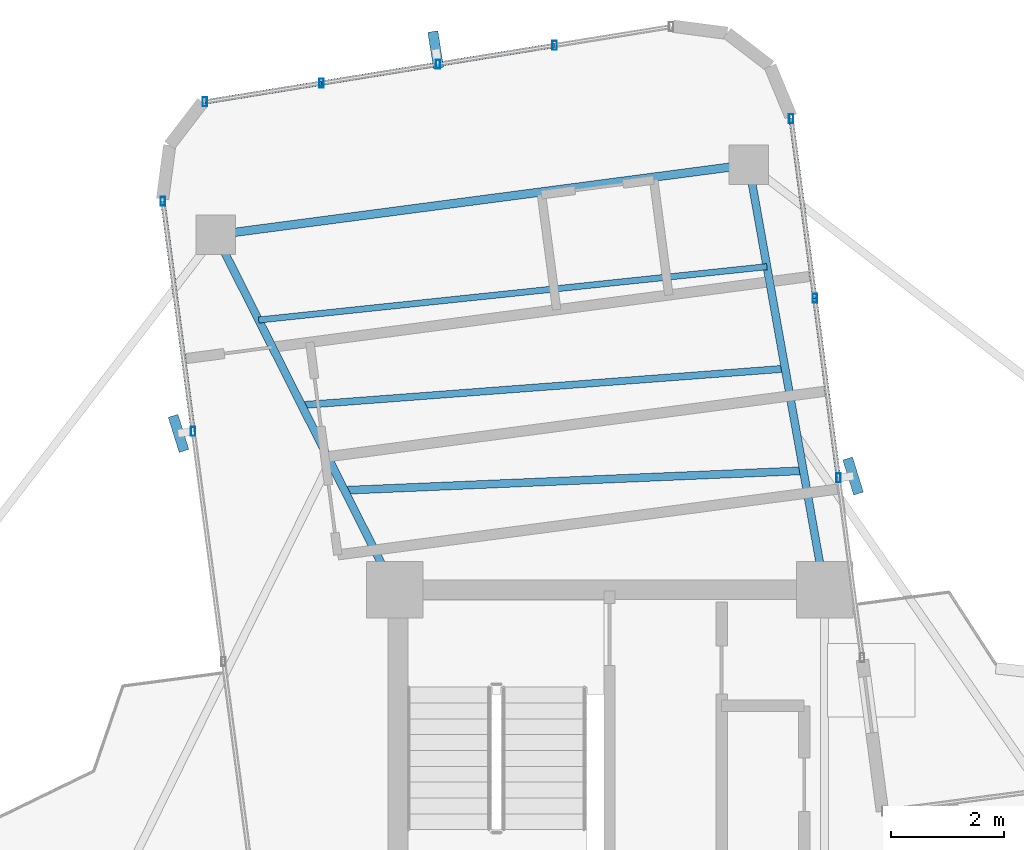
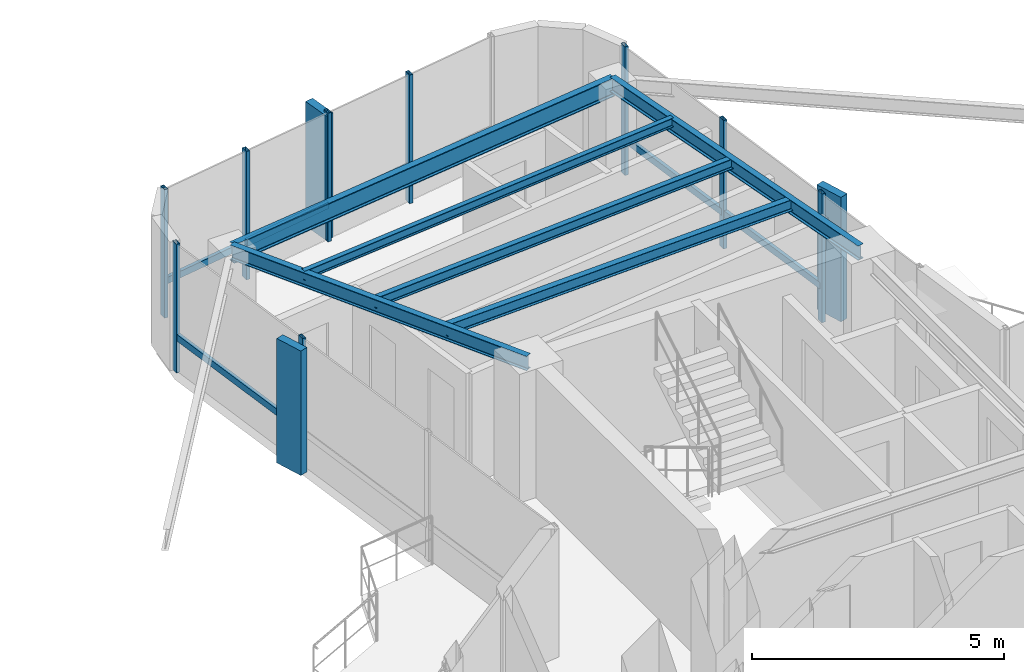
# One storey, part 14 of 22: 18 members, 6 beams, 3 elements without a shape of their own.
"""IFC4 building model written with IfcOpenShell, lengths in metres."""

import ifcopenshell
import ifcopenshell.guid

model = None  # the IFC model being written
_history = None  # IfcOwnerHistory: only IFC2X3 demands one
_inside = {}  # id of a spatial element -> (the spatial element, [elements in it])
_under = {}  # id of a project, library or spatial element -> (it, [spatial elements below it])
_declared = {}  # id of a project -> (the project, [libraries it declares])
_typed = {}  # id of a type object -> (the type object, [elements of that type])
_made_of = {}  # id of a material, layer set ... -> (it, [elements and type objects made of it])


def new_model(schema):
    """Start an empty IFC model of exactly this schema.

    Asked for "IFC4X3", IfcOpenShell would pick the latest addendum, in which some entities
    have other attributes; the version numbers below select the first issue.
    IFC2X3 requires an IfcOwnerHistory on every rooted entity: one is made here for all.
    """
    global model, _history
    if schema == "IFC4X3":
        model = ifcopenshell.file(schema_version=(4, 3, 0, 0))
    else:
        model = ifcopenshell.file(schema=schema)
    _inside.clear()
    _under.clear()
    _declared.clear()
    _typed.clear()
    _made_of.clear()
    _history = None
    if model.schema == "IFC2X3":
        org = make("IfcOrganization", Name="unknown")
        user = make(
            "IfcPersonAndOrganization",
            ThePerson=make("IfcPerson", FamilyName="unknown"),
            TheOrganization=org,
        )
        app = make(
            "IfcApplication",
            ApplicationDeveloper=org,
            Version="unknown",
            ApplicationFullName="unknown",
            ApplicationIdentifier="unknown",
        )
        _history = make(
            "IfcOwnerHistory",
            OwningUser=user,
            OwningApplication=app,
            ChangeAction="ADDED",
            CreationDate=0,
        )
    return model


def make(cls, **values):
    """One entity of the class cls with the attributes given. An attribute that is None is left unset."""
    return model.create_entity(
        cls, **{name: value for name, value in values.items() if value is not None}
    )


def rooted(cls, **values):
    """An entity with a GlobalId (a new one), such as an element, a storey or a relation."""
    return make(cls, GlobalId=ifcopenshell.guid.new(), OwnerHistory=_history, **values)


def si_unit(unit_type, name, prefix=None):
    """IfcSIUnit, for example si_unit("LENGTHUNIT", "METRE", prefix="MILLI")."""
    return make("IfcSIUnit", UnitType=unit_type, Prefix=prefix, Name=name)


def assignment(units):
    """IfcUnitAssignment: the units of a project."""
    return None if units is None else make("IfcUnitAssignment", Units=units)


def point(xyz):
    """IfcCartesianPoint."""
    return None if xyz is None else make("IfcCartesianPoint", Coordinates=xyz)


def direction(xyz):
    """IfcDirection."""
    return None if xyz is None else make("IfcDirection", DirectionRatios=xyz)


def frame(location, z_axis=None, x_axis=None):
    """IfcAxis2Placement3D, a coordinate frame: its origin and axes. An axis left out is left unset."""
    return make(
        "IfcAxis2Placement3D",
        Location=point(location),
        Axis=direction(z_axis),
        RefDirection=direction(x_axis),
    )


def frame_2d(location, x_axis=None):
    """IfcAxis2Placement2D, a coordinate frame in the plane: its origin and x axis."""
    return make(
        "IfcAxis2Placement2D", Location=point(location), RefDirection=direction(x_axis)
    )


def origin():
    """The frame at (0, 0, 0) with its axes left unset."""
    return frame((0.0, 0.0, 0.0))


def origin_2d():
    """The frame at (0, 0) in the plane with its x axis left unset."""
    return frame_2d((0.0, 0.0))


def place(relative_to, where):
    """IfcLocalPlacement: puts the frame where relative to a parent placement (None: the world)."""
    return make(
        "IfcLocalPlacement", PlacementRelTo=relative_to, RelativePlacement=where
    )


def context(
    kind, dimensions, precision=None, world=None, true_north=None, identifier=None
):
    """IfcGeometricRepresentationContext, for example the 3D "Model" context."""
    return make(
        "IfcGeometricRepresentationContext",
        ContextIdentifier=identifier,
        ContextType=kind,
        CoordinateSpaceDimension=dimensions,
        Precision=precision,
        WorldCoordinateSystem=world,
        TrueNorth=true_north,
    )


def subcontext(parent, identifier, kind, view, scale=None):
    """IfcGeometricRepresentationSubContext, for example "Body" below "Model"."""
    return make(
        "IfcGeometricRepresentationSubContext",
        ContextIdentifier=identifier,
        ContextType=kind,
        ParentContext=parent,
        TargetScale=scale,
        TargetView=view,
    )


def project(units=None, contexts=None):
    """IfcProject with its units and contexts."""
    return rooted(
        "IfcProject",
        Name="project",
        RepresentationContexts=contexts,
        UnitsInContext=assignment(units),
    )


def spatial(cls, under=None, at=None, **own):
    """A site, building, storey or space (cls), placed at a placement, below another one or the project."""
    s = rooted(cls, ObjectPlacement=at, **own)
    if under is not None:
        _under.setdefault(under.id(), (under, []))[1].append(s)
    return s


def profile(cls, at=None, kind="AREA", **sizes):
    """A parametric profile (cls). Its sizes go by their IFC names, for example OverallWidth=200.0."""
    return make(cls, ProfileType=kind, Position=at, **sizes)


def rectangle(**sizes):
    """IfcRectangleProfileDef."""
    return profile("IfcRectangleProfileDef", **sizes)


def hollow_rectangle(**sizes):
    """IfcRectangleHollowProfileDef."""
    return profile("IfcRectangleHollowProfileDef", **sizes)


def i_section(**sizes):
    """IfcIShapeProfileDef."""
    return profile("IfcIShapeProfileDef", **sizes)


def extrude(swept, where, along, depth):
    """IfcExtrudedAreaSolid: the profile swept, set in the frame where, extruded along a direction by depth."""
    return make(
        "IfcExtrudedAreaSolid",
        SweptArea=swept,
        Position=where,
        ExtrudedDirection=direction(along),
        Depth=depth,
    )


def shape(context_of_items, identifier, shape_type, items):
    """IfcShapeRepresentation: the items that make up one representation, for example the "Body"."""
    return make(
        "IfcShapeRepresentation",
        ContextOfItems=context_of_items,
        RepresentationIdentifier=identifier,
        RepresentationType=shape_type,
        Items=items,
    )


def source(mapping_origin, context_of_items, identifier, shape_type, items):
    """IfcRepresentationMap: a shape defined once, which mapped items show again and again."""
    return make(
        "IfcRepresentationMap",
        MappingOrigin=mapping_origin,
        MappedRepresentation=shape(context_of_items, identifier, shape_type, items),
    )


def transform(
    local_origin,
    x_axis=None,
    y_axis=None,
    z_axis=None,
    scale=None,
    scale2=None,
    scale3=None,
    uniform=True,
):
    """IfcCartesianTransformationOperator3D, or its non-uniform kind. x_axis, y_axis, z_axis: its Axis1, 2, 3."""
    if uniform:
        return make(
            "IfcCartesianTransformationOperator3D",
            Axis1=direction(x_axis),
            Axis2=direction(y_axis),
            LocalOrigin=point(local_origin),
            Scale=scale,
            Axis3=direction(z_axis),
        )
    return make(
        "IfcCartesianTransformationOperator3DnonUniform",
        Axis1=direction(x_axis),
        Axis2=direction(y_axis),
        LocalOrigin=point(local_origin),
        Scale=scale,
        Axis3=direction(z_axis),
        Scale2=scale2,
        Scale3=scale3,
    )


def mapped(mapping_source, mapping_target):
    """IfcMappedItem: shows the shape of a source again, moved by a transform."""
    return make(
        "IfcMappedItem", MappingSource=mapping_source, MappingTarget=mapping_target
    )


def material(Name=None, Category=None):
    """IfcMaterial."""
    return make("IfcMaterial", Name=Name, Category=Category)


def material_profile(
    of_material, cross_section, Name=None, Category=None, Priority=None
):
    """IfcMaterialProfile: a cross section and its material."""
    return make(
        "IfcMaterialProfile",
        Name=Name,
        Material=of_material,
        Profile=cross_section,
        Priority=Priority,
        Category=Category,
    )


def profile_set(profiles, Name=None, composite=None):
    """IfcMaterialProfileSet."""
    return make(
        "IfcMaterialProfileSet",
        Name=Name,
        MaterialProfiles=profiles,
        CompositeProfile=composite,
    )


def made_of(thing, what):
    """Note that an element or type object is made of a material, layer set ...; save() writes the relation."""
    if what is not None:
        _made_of.setdefault(what.id(), (what, []))[1].append(thing)
    return thing


def type_object(cls, material=None, **own):
    """A type object (cls), such as IfcWallType, which elements share."""
    return made_of(rooted(cls, **own), material)


def element(
    cls,
    number,
    at=None,
    inside=None,
    cuts=None,
    type_object=None,
    material=None,
    context=None,
    identifier="Body",
    shape_type=None,
    held_by="IfcProductDefinitionShape",
    body=None,
    shapes=None,
    **own,
):
    """One element of the class cls, such as IfcWall. Its Tag is "e" and its number.

    at: its placement. inside: the storey or other place that contains it. cuts: it is an
    opening in that element (IfcRelVoidsElement). A single representation is given by context,
    identifier, shape_type and body (its items); several are given by shapes. held_by: the class
    of the entity that holds the representations. save() writes the other relations.
    """
    e = rooted(cls, Tag="e%d" % number, ObjectPlacement=at, **own)
    if body is not None:
        shapes = [shape(context, identifier, shape_type, body)]
    if shapes is not None:
        e.Representation = make(held_by, Representations=shapes)
    if inside is not None:
        _inside.setdefault(inside.id(), (inside, []))[1].append(e)
    if cuts is not None:
        rooted(
            "IfcRelVoidsElement", RelatingBuildingElement=cuts, RelatedOpeningElement=e
        )
    if type_object is not None:
        _typed.setdefault(type_object.id(), (type_object, []))[1].append(e)
    return made_of(e, material)


def aggregate(whole, parts):
    """IfcRelAggregates: a whole, such as a stair, and the parts it consists of."""
    return rooted("IfcRelAggregates", RelatingObject=whole, RelatedObjects=parts)


def save(model, path):
    """Write the relations noted so far, then the file.

    IfcRelAggregates (storeys below a building ...), IfcRelContainedInSpatialStructure (elements
    in a storey), IfcRelDefinesByType, IfcRelAssociatesMaterial and IfcRelDeclares: one each for
    every whole, place, type object, material and project.
    """
    for whole, parts in _under.values():
        aggregate(whole, parts)
    for where, things in _inside.values():
        rooted(
            "IfcRelContainedInSpatialStructure",
            RelatedElements=things,
            RelatingStructure=where,
        )
    for kind, things in _typed.values():
        rooted("IfcRelDefinesByType", RelatedObjects=things, RelatingType=kind)
    for what, things in _made_of.values():
        rooted("IfcRelAssociatesMaterial", RelatedObjects=things, RelatingMaterial=what)
    for by, libraries in _declared.values():
        rooted("IfcRelDeclares", RelatingContext=by, RelatedDefinitions=libraries)
    model.write(path)


model = new_model("IFC4")

# Units and contexts
model_context = context("Model", 3, precision=1e-05, world=origin(), true_north=direction((0.0, 1.0)))
body_context = subcontext(model_context, "Body", "Model", "MODEL_VIEW")
ifc_project = project(units=[si_unit("LENGTHUNIT", "METRE"), si_unit("AREAUNIT", "SQUARE_METRE"), si_unit("VOLUMEUNIT", "CUBIC_METRE"), si_unit("PLANEANGLEUNIT", "RADIAN"), si_unit("MASSUNIT", "GRAM", prefix="KILO")], contexts=[model_context])

# Site, building, storey
site_placement = place(None, origin())
site = spatial("IfcSite", under=ifc_project, at=site_placement, CompositionType="ELEMENT")
building_placement = place(site_placement, origin())
building = spatial("IfcBuilding", under=site, at=building_placement, Name="Sahyath Konkavel Grand Hotel", CompositionType="ELEMENT")
storey_placement = place(building_placement, frame((0.0, 0.0, 257.89990234375)))
storey = spatial("IfcBuildingStorey", under=building, at=storey_placement, Name="L72", CompositionType="ELEMENT", Elevation=257.89990234375)

# Beams
ifc_material_1 = material(Name="Steel E350", Category="steel")
ifc_material_profile_1 = material_profile(ifc_material_1, i_section(OverallWidth=0.139892578125, OverallDepth=0.35009765625, WebThickness=0.008056640625, FlangeThickness=0.01416015625, FilletRadius=0.013916015625, at=origin_2d()), Name="ISMB 350")
ifc_profile_set_1 = profile_set([ifc_material_profile_1], Name="Steel E350")
beam_type_1 = type_object("IfcBeamType", Name="BM-ISMB350", PredefinedType="BEAM", material=ifc_profile_set_1)
shared_shape_1 = source(origin(), body_context, "Body", "SweptSolid", [
    extrude(i_section(OverallWidth=0.139892578125, OverallDepth=0.35009765625, WebThickness=0.008056640625, FlangeThickness=0.01416015625, FilletRadius=0.013916015625, at=origin_2d()), origin(), (0.0, 0.0, 1.0), 7.631103515625),
])
beam_1_placement = place(storey_placement, frame((3.800048828125, 10.199951171875, 2.93505859375), z_axis=(-0.175734167088, 0.984437658015, 0.0), x_axis=(-0.984437658015, -0.175734167088, 0.0)))
element("IfcBeam", 1, at=beam_1_placement, inside=storey, type_object=beam_type_1, Name="L72 Cruciform Radial Girder NA", PredefinedType="BEAM", context=body_context, shape_type="MappedRepresentation", body=[
    mapped(shared_shape_1, transform((0.0, 0.0, 0.0), scale=1.0)),
])
shared_shape_2 = source(origin(), body_context, "Body", "SweptSolid", [
    extrude(i_section(OverallWidth=0.139892578125, OverallDepth=0.35009765625, WebThickness=0.008056640625, FlangeThickness=0.01416015625, FilletRadius=0.013916015625, at=origin_2d()), origin(), (0.0, 0.0, 1.0), 7.0234375),
])
beam_2_placement = place(storey_placement, frame((-3.800048828125, 10.199951171875, 2.93505859375), z_axis=(-0.449881274382, 0.893088371305, 0.0), x_axis=(-0.893088371305, -0.449881274382, 0.0)))
element("IfcBeam", 2, at=beam_2_placement, inside=storey, type_object=beam_type_1, Name="L72 Cruciform Radial Girder NB", PredefinedType="BEAM", context=body_context, shape_type="MappedRepresentation", body=[
    mapped(shared_shape_2, transform((0.0, 0.0, 0.0), scale=1.0)),
])
ifc_material_profile_2 = material_profile(ifc_material_1, i_section(OverallWidth=0.14990234375, OverallDepth=0.449951171875, WebThickness=0.009521484375, FlangeThickness=0.017333984375, FilletRadius=0.014892578125, at=origin_2d()), Name="ISMB 450")
ifc_profile_set_2 = profile_set([ifc_material_profile_2], Name="Steel E350")
beam_type_2 = type_object("IfcBeamType", Name="BM-ISMB450", PredefinedType="BEAM", material=ifc_profile_set_2)
shared_shape_3 = source(origin(), body_context, "Body", "SweptSolid", [
    extrude(i_section(OverallWidth=0.14990234375, OverallDepth=0.449951171875, WebThickness=0.009521484375, FlangeThickness=0.017333984375, FilletRadius=0.014892578125, at=origin_2d()), origin(), (0.0, 0.0, 1.0), 9.5),
])
beam_3_placement = place(storey_placement, frame((2.458984375, 17.71240234375, 2.885009765625), z_axis=(-0.991444933556, -0.130525643939, 0.0), x_axis=(0.130525643939, -0.991444933556, 0.0)))
element("IfcBeam", 3, at=beam_3_placement, inside=storey, type_object=beam_type_2, Name="L72 Wing Tip Edge Beam N", PredefinedType="BEAM", context=body_context, shape_type="MappedRepresentation", body=[
    mapped(shared_shape_3, transform((0.0, 0.0, 0.0), scale=1.0)),
])
ifc_material_profile_3 = material_profile(ifc_material_1, i_section(OverallWidth=0.139892578125, OverallDepth=0.27490234375, WebThickness=0.00634765625, FlangeThickness=0.0087890625, FilletRadius=0.012939453125, at=origin_2d()), Name="ISLB 275")
ifc_profile_set_3 = profile_set([ifc_material_profile_3], Name="Steel E350")
beam_type_3 = type_object("IfcBeamType", Name="BM-ISLB275", PredefinedType="BEAM", material=ifc_profile_set_3)
shared_shape_4 = source(origin(), body_context, "Body", "SweptSolid", [
    extrude(i_section(OverallWidth=0.139892578125, OverallDepth=0.27490234375, WebThickness=0.00634765625, FlangeThickness=0.0087890625, FilletRadius=0.012939453125, at=origin_2d()), origin(), (0.0, 0.0, 1.0), 8.11669921875),
])
beam_4_placement = place(storey_placement, frame((3.424560546875, 12.303466796875, 2.97265625), z_axis=(-0.999084879956, -0.042771516718, 0.0), x_axis=(0.042771516718, -0.999084879956, 0.0)))
element("IfcBeam", 4, at=beam_4_placement, inside=storey, type_object=beam_type_3, Name="L72 Secondary Floor Beam N-1", PredefinedType="BEAM", context=body_context, shape_type="MappedRepresentation", body=[
    mapped(shared_shape_4, transform((0.0, 0.0, 0.0), scale=1.0)),
])
ifc_material_profile_4 = material_profile(ifc_material_1, i_section(OverallWidth=0.125, OverallDepth=0.25, WebThickness=0.0068359375, FlangeThickness=0.012451171875, FilletRadius=0.012939453125, at=origin_2d()), Name="ISMB 250")
ifc_profile_set_4 = profile_set([ifc_material_profile_4], Name="Steel E350")
beam_type_4 = type_object("IfcBeamType", Name="BM-ISMB250", PredefinedType="BEAM", material=ifc_profile_set_4)
shared_shape_5 = source(origin(), body_context, "Body", "SweptSolid", [
    extrude(i_section(OverallWidth=0.125, OverallDepth=0.25, WebThickness=0.0068359375, FlangeThickness=0.012451171875, FilletRadius=0.012939453125, at=origin_2d()), origin(), (0.0, 0.0, 1.0), 8.570068359375),
])
beam_5_placement = place(storey_placement, frame((3.102783203125, 14.1064453125, 2.985107421875), z_axis=(-0.997165854664, -0.075234688098, 0.0), x_axis=(0.075234688098, -0.997165854664, 0.0)))
element("IfcBeam", 5, at=beam_5_placement, inside=storey, type_object=beam_type_4, Name="L72 Secondary Floor Beam N-2", PredefinedType="BEAM", context=body_context, shape_type="MappedRepresentation", body=[
    mapped(shared_shape_5, transform((0.0, 0.0, 0.0), scale=1.0)),
])
ifc_material_profile_5 = material_profile(ifc_material_1, i_section(OverallWidth=0.110107421875, OverallDepth=0.22509765625, WebThickness=0.006591796875, FlangeThickness=0.01171875, FilletRadius=0.011962890625, at=origin_2d()), Name="ISMB 225")
ifc_profile_set_5 = profile_set([ifc_material_profile_5], Name="Steel E350")
beam_type_5 = type_object("IfcBeamType", Name="BM-ISMB225", PredefinedType="BEAM", material=ifc_profile_set_5)
shared_shape_6 = source(origin(), body_context, "Body", "SweptSolid", [
    extrude(i_section(OverallWidth=0.110107421875, OverallDepth=0.22509765625, WebThickness=0.006591796875, FlangeThickness=0.01171875, FilletRadius=0.011962890625, at=origin_2d()), origin(), (0.0, 0.0, 1.0), 9.03173828125),
])
beam_6_placement = place(storey_placement, frame((2.781005859375, 15.909423828125, 2.99755859375), z_axis=(-0.99454153435, -0.104341441688, 0.0), x_axis=(0.104341441688, -0.99454153435, 0.0)))
element("IfcBeam", 6, at=beam_6_placement, inside=storey, type_object=beam_type_5, Name="L72 Secondary Floor Beam N-3", PredefinedType="BEAM", context=body_context, shape_type="MappedRepresentation", body=[
    mapped(shared_shape_6, transform((0.0, 0.0, 0.0), scale=1.0)),
])

# Curtain wall, member
ifc_material_2 = material(Name="Anodised Bronze Aluminium & Low-E Glazing", Category="aluminium")
curtain_wall_type = type_object("IfcCurtainWallType", Name="CW-ZONE4", PredefinedType="NOTDEFINED", material=ifc_material_2)
curtain_wall_1_placement = place(storey_placement, origin())
curtain_wall_1 = element("IfcCurtainWall", 7, at=curtain_wall_1_placement, inside=storey, type_object=curtain_wall_type, Name="L72 Unitised Curtain Wall F8", PredefinedType="NOTDEFINED")
ifc_material_3 = material(Name="Warm Buff Sandstone Cladding on Concrete C50/60", Category="masonry")
ifc_material_profile_6 = material_profile(ifc_material_3, rectangle(XDim=0.179931640625, YDim=0.64990234375, at=origin_2d()), Name="FIN 180x650")
ifc_profile_set_6 = profile_set([ifc_material_profile_6], Name="Warm Buff Sandstone Cladding on Concrete C50/60")
member_type_1 = type_object("IfcMemberType", Name="FIN-SANDSTONE-650", PredefinedType="MULLION", material=ifc_profile_set_6)
shared_shape_7 = source(origin(), body_context, "Body", "SweptSolid", [
    extrude(rectangle(XDim=0.179931640625, YDim=0.64990234375, at=origin_2d()), origin(), (0.0, 0.0, 1.0), 3.010009765625),
])
member_1_placement = place(storey_placement, frame((4.30322265625, 12.20947265625, 0.050048828125), z_axis=(0.0, 0.0, 1.0), x_axis=(0.954448865814, 0.298374534012, 0.0)))
member_1 = element("IfcMember", 8, at=member_1_placement, type_object=member_type_1, Name="L72 Sandstone Vertical Solar Fin FIN F8-1", PredefinedType="MULLION", context=body_context, shape_type="MappedRepresentation", body=[
    mapped(shared_shape_7, transform((0.0, 0.0, 0.0), scale=1.0)),
])

curtain_wall_2_placement = place(storey_placement, origin())
curtain_wall_2 = element("IfcCurtainWall", 9, at=curtain_wall_2_placement, inside=storey, type_object=curtain_wall_type, Name="L72 Unitised Curtain Wall F12", PredefinedType="NOTDEFINED")
member_2_placement = place(storey_placement, frame((-3.073486328125, 19.74365234375, 0.050048828125), z_axis=(0.0, 0.0, 1.0), x_axis=(0.987905801468, 0.155055239918, 0.0)))
member_2 = element("IfcMember", 10, at=member_2_placement, type_object=member_type_1, Name="L72 Sandstone Vertical Solar Fin FIN F12-2", PredefinedType="MULLION", context=body_context, shape_type="MappedRepresentation", body=[
    mapped(shared_shape_7, transform((0.0, 0.0, 0.0), scale=1.0)),
])

curtain_wall_3_placement = place(storey_placement, origin())
curtain_wall_3 = element("IfcCurtainWall", 11, at=curtain_wall_3_placement, inside=storey, type_object=curtain_wall_type, Name="L72 Unitised Curtain Wall F15", PredefinedType="NOTDEFINED")
member_3_placement = place(storey_placement, frame((-7.6171875, 12.96337890625, 0.050048828125), z_axis=(0.0, 0.0, 1.0), x_axis=(0.954448865814, 0.298374534012, 0.0)))
member_3 = element("IfcMember", 12, at=member_3_placement, type_object=member_type_1, Name="L72 Sandstone Vertical Solar Fin FIN F15-1", PredefinedType="MULLION", context=body_context, shape_type="MappedRepresentation", body=[
    mapped(shared_shape_7, transform((0.0, 0.0, 0.0), scale=1.0)),
])

# Member
ifc_material_4 = material(Name="Anodised Bronze Aluminium", Category="aluminium")
ifc_material_profile_7 = material_profile(ifc_material_4, hollow_rectangle(XDim=0.080078125, YDim=0.159912109375, WallThickness=0.006103515625, at=origin_2d()), Name="RHS 160x80x6")
ifc_profile_set_7 = profile_set([ifc_material_profile_7], Name="Anodised Bronze Aluminium")
member_type_2 = type_object("IfcMemberType", Name="CW-MUL-160", PredefinedType="MULLION", material=ifc_profile_set_7)
shared_shape_8 = source(origin(), body_context, "Body", "SweptSolid", [
    extrude(hollow_rectangle(XDim=0.080078125, YDim=0.159912109375, WallThickness=0.006103515625, at=origin_2d()), origin(), (0.0, 0.0, 1.0), 3.110107421875),
])
member_4_placement = place(storey_placement, frame((4.04541015625, 12.175537109375, 0.0), z_axis=(0.0, 0.0, 1.0), x_axis=(1.0, 0.0, 0.0)))
member_4 = element("IfcMember", 13, at=member_4_placement, type_object=member_type_2, Name="L72 Curtain Wall Mullion F8-1", PredefinedType="MULLION", context=body_context, shape_type="MappedRepresentation", body=[
    mapped(shared_shape_8, transform((0.0, 0.0, 0.0), scale=1.0)),
])

member_5_placement = place(storey_placement, frame((3.627197265625, 15.351318359375, 0.0), z_axis=(0.0, 0.0, 1.0), x_axis=(1.0, 0.0, 0.0)))
member_5 = element("IfcMember", 14, at=member_5_placement, type_object=member_type_2, Name="L72 Curtain Wall Mullion F8-2", PredefinedType="MULLION", context=body_context, shape_type="MappedRepresentation", body=[
    mapped(shared_shape_8, transform((0.0, 0.0, 0.0), scale=1.0)),
])

member_6_placement = place(storey_placement, frame((3.208984375, 18.52734375, 0.0), z_axis=(0.0, 0.0, 1.0), x_axis=(1.0, 0.0, 0.0)))
member_6 = element("IfcMember", 15, at=member_6_placement, type_object=member_type_2, Name="L72 Curtain Wall Mullion F8-3", PredefinedType="MULLION", context=body_context, shape_type="MappedRepresentation", body=[
    mapped(shared_shape_8, transform((0.0, 0.0, 0.0), scale=1.0)),
])

member_7_placement = place(storey_placement, frame((-0.9716796875, 19.8203125, 0.0), z_axis=(0.0, 0.0, 1.0), x_axis=(1.0, 0.0, 0.0)))
member_7 = element("IfcMember", 16, at=member_7_placement, type_object=member_type_2, Name="L72 Curtain Wall Mullion F12-1", PredefinedType="MULLION", context=body_context, shape_type="MappedRepresentation", body=[
    mapped(shared_shape_8, transform((0.0, 0.0, 0.0), scale=1.0)),
])

member_8_placement = place(storey_placement, frame((-3.031982421875, 19.487060546875, 0.0), z_axis=(0.0, 0.0, 1.0), x_axis=(1.0, 0.0, 0.0)))
member_8 = element("IfcMember", 17, at=member_8_placement, type_object=member_type_2, Name="L72 Curtain Wall Mullion F12-2", PredefinedType="MULLION", context=body_context, shape_type="MappedRepresentation", body=[
    mapped(shared_shape_8, transform((0.0, 0.0, 0.0), scale=1.0)),
])

member_9_placement = place(storey_placement, frame((-5.09228515625, 19.15380859375, 0.0), z_axis=(0.0, 0.0, 1.0), x_axis=(1.0, 0.0, 0.0)))
member_9 = element("IfcMember", 18, at=member_9_placement, type_object=member_type_2, Name="L72 Curtain Wall Mullion F12-3", PredefinedType="MULLION", context=body_context, shape_type="MappedRepresentation", body=[
    mapped(shared_shape_8, transform((0.0, 0.0, 0.0), scale=1.0)),
])

member_10_placement = place(storey_placement, frame((-7.15283203125, 18.82080078125, 0.0), z_axis=(0.0, 0.0, 1.0), x_axis=(1.0, 0.0, 0.0)))
member_10 = element("IfcMember", 19, at=member_10_placement, type_object=member_type_2, Name="L72 Curtain Wall Mullion F12-4", PredefinedType="MULLION", context=body_context, shape_type="MappedRepresentation", body=[
    mapped(shared_shape_8, transform((0.0, 0.0, 0.0), scale=1.0)),
])

member_11_placement = place(storey_placement, frame((-7.89501953125, 17.0654296875, 0.0), z_axis=(0.0, 0.0, 1.0), x_axis=(1.0, 0.0, 0.0)))
member_11 = element("IfcMember", 20, at=member_11_placement, type_object=member_type_2, Name="L72 Curtain Wall Mullion F15-0", PredefinedType="MULLION", context=body_context, shape_type="MappedRepresentation", body=[
    mapped(shared_shape_8, transform((0.0, 0.0, 0.0), scale=1.0)),
])

member_12_placement = place(storey_placement, frame((-7.359619140625, 12.997314453125, 0.0), z_axis=(0.0, 0.0, 1.0), x_axis=(1.0, 0.0, 0.0)))
member_12 = element("IfcMember", 21, at=member_12_placement, type_object=member_type_2, Name="L72 Curtain Wall Mullion F15-1", PredefinedType="MULLION", context=body_context, shape_type="MappedRepresentation", body=[
    mapped(shared_shape_8, transform((0.0, 0.0, 0.0), scale=1.0)),
])

ifc_material_profile_8 = material_profile(ifc_material_4, hollow_rectangle(XDim=0.080078125, YDim=0.159912109375, WallThickness=0.006103515625, at=origin_2d()), Name="RHS 160x80x6")
ifc_profile_set_8 = profile_set([ifc_material_profile_8], Name="Anodised Bronze Aluminium")
member_type_3 = type_object("IfcMemberType", Name="CW-TRN-160", PredefinedType="USERDEFINED", material=ifc_profile_set_8)
shared_shape_9 = source(origin(), body_context, "Body", "SweptSolid", [
    extrude(hollow_rectangle(XDim=0.080078125, YDim=0.159912109375, WallThickness=0.006103515625, at=origin_2d()), origin(), (0.0, 0.0, 1.0), 3.203369140625),
])
member_13_placement = place(storey_placement, frame((3.627197265625, 15.351318359375, 0.85009765625), z_axis=(-0.130551112835, 0.991441580194, 0.0), x_axis=(-0.991441580194, -0.130551112835, 0.0)))
member_13 = element("IfcMember", 22, at=member_13_placement, type_object=member_type_3, Name="L72 Curtain Wall Transom F8-2-spandrel", ObjectType="TRANSOM", PredefinedType="USERDEFINED", context=body_context, shape_type="MappedRepresentation", body=[
    mapped(shared_shape_9, transform((0.0, 0.0, 0.0), scale=1.0)),
])

shared_shape_10 = source(origin(), body_context, "Body", "SweptSolid", [
    extrude(hollow_rectangle(XDim=0.080078125, YDim=0.159912109375, WallThickness=0.006103515625, at=origin_2d()), origin(), (0.0, 0.0, 1.0), 3.203125),
])
member_14_placement = place(storey_placement, frame((4.04541015625, 12.175537109375, 0.85009765625), z_axis=(-0.13056097798, 0.991440281121, 0.0), x_axis=(-0.991440281121, -0.13056097798, 0.0)))
member_14 = element("IfcMember", 23, at=member_14_placement, type_object=member_type_3, Name="L72 Curtain Wall Transom F8-1-spandrel", ObjectType="TRANSOM", PredefinedType="USERDEFINED", context=body_context, shape_type="MappedRepresentation", body=[
    mapped(shared_shape_10, transform((0.0, 0.0, 0.0), scale=1.0)),
])

aggregate(curtain_wall_1, [member_4, member_1, member_5, member_6, member_14, member_13])

shared_shape_11 = source(origin(), body_context, "Body", "SweptSolid", [
    extrude(hollow_rectangle(XDim=0.080078125, YDim=0.159912109375, WallThickness=0.006103515625, at=origin_2d()), origin(), (0.0, 0.0, 1.0), 2.08740234375),
])
member_15_placement = place(storey_placement, frame((-5.09228515625, 19.15380859375, 0.85009765625), z_axis=(-0.98719124923, -0.159541334591, 0.0), x_axis=(0.159541334591, -0.98719124923, 0.0)))
member_15 = element("IfcMember", 24, at=member_15_placement, type_object=member_type_3, Name="L72 Curtain Wall Transom F12-3-spandrel", ObjectType="TRANSOM", PredefinedType="USERDEFINED", context=body_context, shape_type="MappedRepresentation", body=[
    mapped(shared_shape_11, transform((0.0, 0.0, 0.0), scale=1.0)),
])

shared_shape_12 = source(origin(), body_context, "Body", "SweptSolid", [
    extrude(hollow_rectangle(XDim=0.080078125, YDim=0.159912109375, WallThickness=0.006103515625, at=origin_2d()), origin(), (0.0, 0.0, 1.0), 2.087158203125),
])
member_16_placement = place(storey_placement, frame((-0.9716796875, 19.8203125, 0.85009765625), z_axis=(-0.98716983924, -0.159673756436, 0.0), x_axis=(0.159673756436, -0.98716983924, 0.0)))
member_16 = element("IfcMember", 25, at=member_16_placement, type_object=member_type_3, Name="L72 Curtain Wall Transom F12-1-spandrel", ObjectType="TRANSOM", PredefinedType="USERDEFINED", context=body_context, shape_type="MappedRepresentation", body=[
    mapped(shared_shape_12, transform((0.0, 0.0, 0.0), scale=1.0)),
])

member_17_placement = place(storey_placement, frame((-3.031982421875, 19.487060546875, 0.85009765625), z_axis=(-0.98716983924, -0.159673756436, 0.0), x_axis=(0.159673756436, -0.98716983924, 0.0)))
member_17 = element("IfcMember", 26, at=member_17_placement, type_object=member_type_3, Name="L72 Curtain Wall Transom F12-2-spandrel", ObjectType="TRANSOM", PredefinedType="USERDEFINED", context=body_context, shape_type="MappedRepresentation", body=[
    mapped(shared_shape_12, transform((0.0, 0.0, 0.0), scale=1.0)),
])

aggregate(curtain_wall_2, [member_7, member_8, member_2, member_9, member_10, member_16, member_17, member_15])

shared_shape_13 = source(origin(), body_context, "Body", "SweptSolid", [
    extrude(hollow_rectangle(XDim=0.080078125, YDim=0.159912109375, WallThickness=0.006103515625, at=origin_2d()), origin(), (0.0, 0.0, 1.0), 4.103271484375),
])
member_18_placement = place(storey_placement, frame((-7.89501953125, 17.0654296875, 0.85009765625), z_axis=(0.130483756275, -0.991450447248, 0.0), x_axis=(0.991450447248, 0.130483756275, 0.0)))
member_18 = element("IfcMember", 27, at=member_18_placement, type_object=member_type_3, Name="L72 Curtain Wall Transom F15-0-spandrel", ObjectType="TRANSOM", PredefinedType="USERDEFINED", context=body_context, shape_type="MappedRepresentation", body=[
    mapped(shared_shape_13, transform((0.0, 0.0, 0.0), scale=1.0)),
])

aggregate(curtain_wall_3, [member_11, member_12, member_3, member_18])

save(model, "model.ifc")
